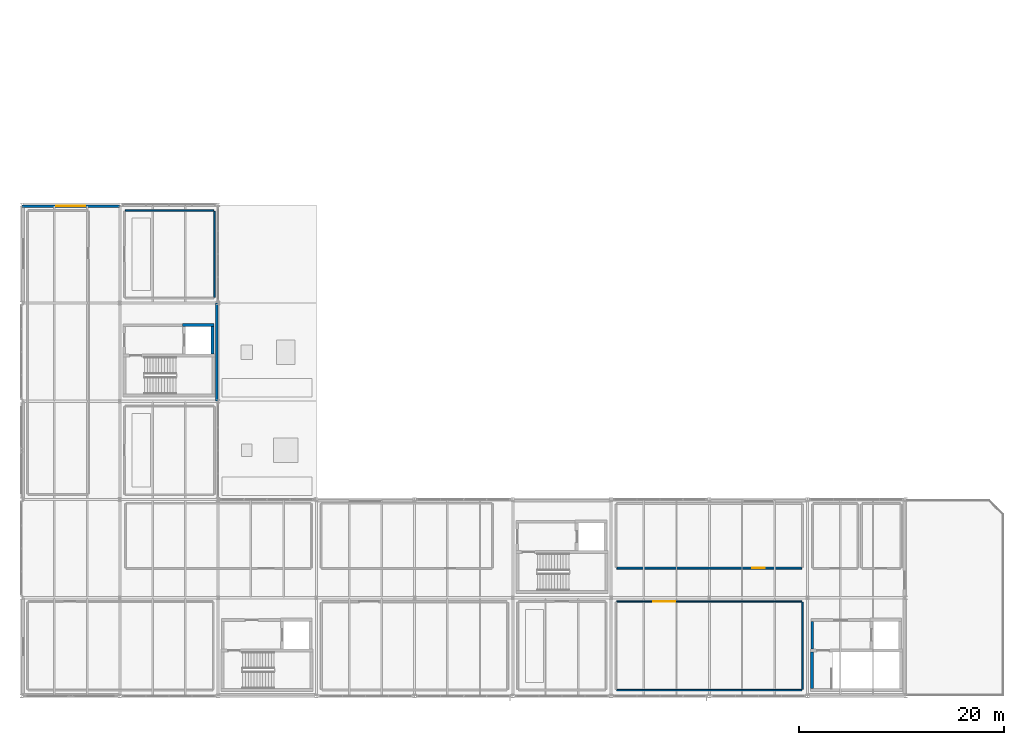
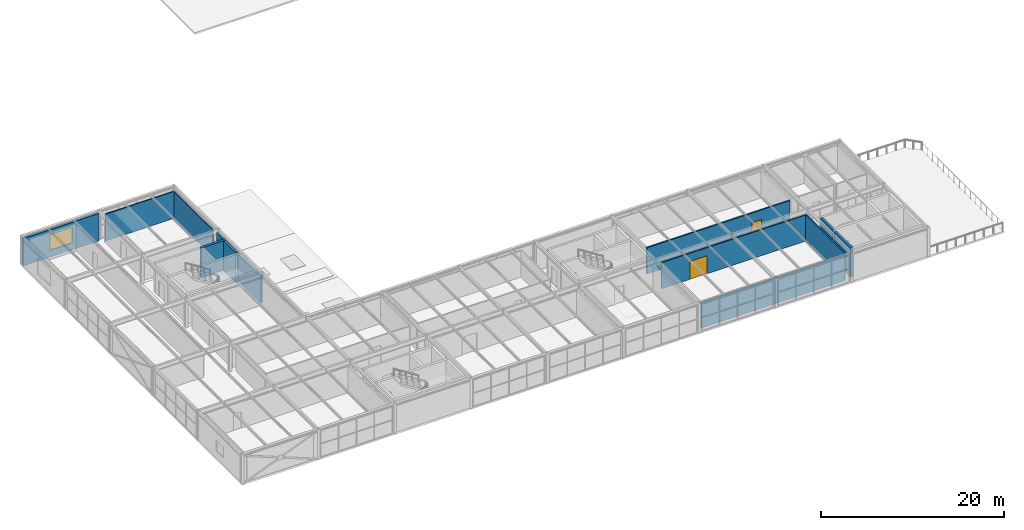
# One storey, part 44 of 50: 12 walls, 2 doors, 1 window, 3 openings.
"""IFC4 building model written with IfcOpenShell, lengths in metres."""

from ifc_helpers import new_model, si_unit, direction, frame, frame_2d, origin, place, context, subcontext, project, spatial, rectangle, extrude, material, layer, layer_set, type_object, element, fill, save


model = new_model("IFC4")

# Units and contexts
model_context = context("Model", 3, precision=1e-05, world=origin(), true_north=direction((0.0, 1.0)))
body_context = subcontext(model_context, "Body", "Model", "MODEL_VIEW")
ifc_project = project(units=[si_unit("LENGTHUNIT", "METRE"), si_unit("AREAUNIT", "SQUARE_METRE"), si_unit("VOLUMEUNIT", "CUBIC_METRE"), si_unit("PLANEANGLEUNIT", "RADIAN"), si_unit("MASSUNIT", "GRAM", prefix="KILO")], contexts=[model_context])

# Site, building, storey
site_placement = place(None, origin())
site = spatial("IfcSite", under=ifc_project, at=site_placement, CompositionType="ELEMENT")
building_placement = place(site_placement, origin())
building = spatial("IfcBuilding", under=site, at=building_placement, Name="Coralgate Yard Interchange", CompositionType="ELEMENT")
storey_placement = place(building_placement, frame((0.0, 0.0, 14.699951171875)))
storey = spatial("IfcBuildingStorey", under=building, at=storey_placement, Name="L03", CompositionType="ELEMENT", Elevation=14.699951171875)

# Walls
ifc_material_1 = material(Name="Concrete C40/50", Category="concrete")
ifc_layer_1 = layer(ifc_material_1, 0.300048828125)
ifc_layer_set_1 = layer_set([ifc_layer_1], Name="Concrete C40/50")
wall_type_1 = type_object("IfcWallType", Name="WAL-CW300", PredefinedType="SHEAR", material=ifc_layer_set_1)
wall_1_placement = place(storey_placement, frame((18.64990234375, 33.39990234375, 0.0), z_axis=(0.0, 0.0, 1.0), x_axis=(0.0, 1.0, 0.0)))
element("IfcWall", 1, at=wall_1_placement, inside=storey, type_object=wall_type_1, Name="C1 L03 lift rear shear wall", PredefinedType="SHEAR", context=body_context, shape_type="SweptSolid", body=[
    extrude(rectangle(XDim=2.7001953125, YDim=0.300048828125, at=frame_2d((1.35009765625, 0.0))), origin(), (0.0, 0.0, 1.0), 3.949951171875),
])
wall_2_placement = place(storey_placement, frame((15.699951171875, 36.25, 0.0), z_axis=(0.0, 0.0, 1.0), x_axis=(1.0, 0.0, 0.0)))
element("IfcWall", 2, at=wall_2_placement, inside=storey, type_object=wall_type_1, Name="C1 L03 lift north shear wall", PredefinedType="SHEAR", context=body_context, shape_type="SweptSolid", body=[
    extrude(rectangle(XDim=3.10009765625, YDim=0.300048828125, at=frame_2d((1.550048828125, 0.0))), origin(), (0.0, 0.0, 1.0), 3.949951171875),
])
wall_3_placement = place(storey_placement, frame((77.25, 0.719970703125, 0.0), z_axis=(0.0, 0.0, 1.0), x_axis=(0.0, 1.0, 0.0)))
element("IfcWall", 3, at=wall_3_placement, inside=storey, type_object=wall_type_1, Name="C4 L03 stair west shear wall", PredefinedType="SHEAR", context=body_context, shape_type="SweptSolid", body=[
    extrude(rectangle(XDim=3.580078125, YDim=0.300048828125, at=frame_2d((1.7900390625, 0.0))), origin(), (0.0, 0.0, 1.0), 3.949951171875),
])

# Wall, opening, window
ifc_material_2 = material(Name="Precast concrete C40/50", Category="concrete")
ifc_layer_2 = layer(ifc_material_2, 0.260009765625)
ifc_layer_set_2 = layer_set([ifc_layer_2], Name="Precast concrete C40/50")
wall_type_2 = type_object("IfcWallType", Name="WAL-EW-260", PredefinedType="SOLIDWALL", material=ifc_layer_set_2)
wall_4_placement = place(storey_placement, frame((0.02001953125, 47.8701171875, 0.0), z_axis=(0.0, 0.0, 1.0), x_axis=(1.0, 0.0, 0.0)))
wall_4 = element("IfcWall", 4, at=wall_4_placement, inside=storey, type_object=wall_type_2, Name="L03 exterior coastal wall N 0-4", PredefinedType="SOLIDWALL", context=body_context, shape_type="SweptSolid", body=[
    extrude(rectangle(XDim=9.56005859375, YDim=0.260009765625, at=frame_2d((4.780029296875, 0.0))), origin(), (0.0, 0.0, 1.0), 3.66015625),
])
opening_1_placement = place(wall_4_placement, frame((3.35498046875, 0.0, 0.89990234375)))
opening_1 = element("IfcOpeningElement", 5, at=opening_1_placement, cuts=wall_4, Name="Opening W-20", PredefinedType="OPENING", context=body_context, shape_type="SweptSolid", body=[
    extrude(rectangle(XDim=2.85009765625, YDim=2.10009765625, at=frame_2d((1.425048828125, 1.050048828125))), frame((0.0, 0.139892578125, 0.0), z_axis=(0.0, -1.0, 0.0), x_axis=(1.0, 0.0, 0.0)), (0.0, 0.0, 1.0), 0.280029296875),
])
ifc_material_3 = material(Name="Thermally broken anodised aluminium and solar-control low-E glass", Category="aluminium")
window_type = type_object("IfcWindowType", Name="WIN-W-20", PartitioningType="SINGLE_PANEL", PredefinedType="WINDOW", material=ifc_material_3)
window_placement = place(opening_1_placement, origin())
window = element("IfcWindow", 6, at=window_placement, inside=storey, type_object=window_type, Name="L03 coastal facade window N-0-4", OverallHeight=2.10009765625, OverallWidth=2.85009765625, PartitioningType="SINGLE_PANEL", PredefinedType="WINDOW", context=body_context, shape_type="SweptSolid", body=[
    extrude(rectangle(XDim=2.85009765625, YDim=2.10009765625, at=frame_2d((1.425048828125, 1.050048828125))), frame((0.0, 0.030029296875, 0.0), z_axis=(0.0, -1.0, 0.0), x_axis=(1.0, 0.0, 0.0)), (0.0, 0.0, 1.0), 0.06005859375),
])
fill(opening_1, window)

# Walls
wall_5_placement = place(storey_placement, frame((19.070068359375, 38.3798828125, 0.0), z_axis=(0.0, 0.0, 1.0), x_axis=(0.0, -1.0, 0.0)))
element("IfcWall", 7, at=wall_5_placement, inside=storey, type_object=wall_type_2, Name="L03 exterior coastal wall E 1-3", PredefinedType="SOLIDWALL", context=body_context, shape_type="SweptSolid", body=[
    extrude(rectangle(XDim=9.559814453125, YDim=0.260009765625, at=frame_2d((4.77978515625, 0.0))), origin(), (0.0, 0.0, 1.0), 3.4931640625),
])
ifc_material_4 = material(Name="Acoustic twin-stud office partition")
ifc_layer_3 = layer(ifc_material_4, 0.139892578125)
ifc_layer_set_3 = layer_set([ifc_layer_3], Name="Acoustic twin-stud office partition")
wall_type_3 = type_object("IfcWallType", Name="WAL-PW-140", PredefinedType="PARTITIONING", material=ifc_layer_set_3)
wall_6_placement = place(storey_placement, frame((76.260009765625, 0.570068359375, 0.0), z_axis=(0.0, 0.0, 1.0), x_axis=(-1.0, 0.0, 0.0)))
element("IfcWall", 8, at=wall_6_placement, inside=storey, type_object=wall_type_3, Name="Coastal Staff Canteen and Veranda Dining partition S", PredefinedType="PARTITIONING", context=body_context, shape_type="SweptSolid", body=[
    extrude(rectangle(XDim=18.1201171875, YDim=0.139892578125, at=frame_2d((9.06005859375, 0.0))), origin(), (0.0, 0.0, 1.0), 3.483154296875),
])

# Wall, opening, door
wall_7_placement = place(storey_placement, frame((58.139892578125, 9.22998046875, 0.0), z_axis=(0.0, 0.0, 1.0), x_axis=(1.0, 0.0, 0.0)))
wall_7 = element("IfcWall", 9, at=wall_7_placement, inside=storey, type_object=wall_type_3, Name="Coastal Staff Canteen and Veranda Dining partition N", PredefinedType="PARTITIONING", context=body_context, shape_type="SweptSolid", body=[
    extrude(rectangle(XDim=18.1201171875, YDim=0.139892578125, at=frame_2d((9.06005859375, 0.0))), origin(), (0.0, 0.0, 1.0), 3.483154296875),
])
opening_2_placement = place(wall_7_placement, frame((3.60009765625, 0.0, 0.0)))
opening_2 = element("IfcOpeningElement", 10, at=opening_2_placement, cuts=wall_7, Name="Opening ID-22", PredefinedType="OPENING", context=body_context, shape_type="SweptSolid", body=[
    extrude(rectangle(XDim=2.14990234375, YDim=2.39990234375, at=frame_2d((1.074951171875, 1.199951171875))), frame((0.0, 0.079833984375, 0.0), z_axis=(0.0, -1.0, 0.0), x_axis=(1.0, 0.0, 0.0)), (0.0, 0.0, 1.0), 0.159912109375),
])
ifc_material_5 = material(Name="Wide dining hall glazed double door")
door_type_1 = type_object("IfcDoorType", Name="DOR-ID-22", OperationType="NOTDEFINED", PredefinedType="DOOR", material=ifc_material_5)
door_1_placement = place(opening_2_placement, origin())
door_1 = element("IfcDoor", 11, at=door_1_placement, inside=storey, type_object=door_type_1, Name="Coastal Staff Canteen and Veranda Dining door", OperationType="DOUBLE_DOOR_SINGLE_SWING", OverallHeight=2.39990234375, OverallWidth=2.14990234375, PredefinedType="DOOR", context=body_context, shape_type="SweptSolid", body=[
    extrude(rectangle(XDim=2.14990234375, YDim=2.39990234375, at=frame_2d((1.074951171875, 1.199951171875))), frame((0.0, 0.02490234375, 0.0), z_axis=(0.0, -1.0, 0.0), x_axis=(1.0, 0.0, 0.0)), (0.0, 0.0, 1.0), 0.050048828125),
])
fill(opening_2, door_1)

# Walls
wall_8_placement = place(storey_placement, frame((76.330078125, 9.159912109375, 0.0), z_axis=(0.0, 0.0, 1.0), x_axis=(0.0, -1.0, 0.0)))
element("IfcWall", 12, at=wall_8_placement, inside=storey, type_object=wall_type_3, Name="Coastal Staff Canteen and Veranda Dining partition E", PredefinedType="PARTITIONING", context=body_context, shape_type="SweptSolid", body=[
    extrude(rectangle(XDim=8.52001953125, YDim=0.139892578125, at=frame_2d((4.260009765625, 0.0))), origin(), (0.0, 0.0, 1.0), 3.590087890625),
])
wall_9_placement = place(storey_placement, frame((10.139892578125, 47.429931640625, 0.0), z_axis=(0.0, 0.0, 1.0), x_axis=(1.0, 0.0, 0.0)))
element("IfcWall", 13, at=wall_9_placement, inside=storey, type_object=wall_type_3, Name="Occupational Health and First-Aid Suite partition N", PredefinedType="PARTITIONING", context=body_context, shape_type="SweptSolid", body=[
    extrude(rectangle(XDim=8.6201171875, YDim=0.139892578125, at=frame_2d((4.31005859375, 0.0))), origin(), (0.0, 0.0, 1.0), 3.590087890625),
])
wall_10_placement = place(storey_placement, frame((18.830078125, 47.360107421875, 0.0), z_axis=(0.0, 0.0, 1.0), x_axis=(0.0, -1.0, 0.0)))
element("IfcWall", 14, at=wall_10_placement, inside=storey, type_object=wall_type_3, Name="Occupational Health and First-Aid Suite partition E", PredefinedType="PARTITIONING", context=body_context, shape_type="SweptSolid", body=[
    extrude(rectangle(XDim=8.420166015625, YDim=0.139892578125, at=frame_2d((4.2099609375, 0.0))), origin(), (0.0, 0.0, 1.0), 3.590087890625),
])

# Wall, opening, door
ifc_material_6 = material(Name="Acoustic concrete blockwork", Category="masonry")
ifc_layer_4 = layer(ifc_material_6, 0.179931640625)
ifc_layer_set_4 = layer_set([ifc_layer_4], Name="Acoustic concrete blockwork")
wall_type_4 = type_object("IfcWallType", Name="WAL-PW-180", PredefinedType="PARTITIONING", material=ifc_layer_set_4)
wall_11_placement = place(storey_placement, frame((76.219970703125, 12.489990234375, 0.0), z_axis=(0.0, 0.0, 1.0), x_axis=(-1.0, 0.0, 0.0)))
wall_11 = element("IfcWall", 15, at=wall_11_placement, inside=storey, type_object=wall_type_4, Name="Canteen Preparation Kitchen and Cold Store partition S", PredefinedType="PARTITIONING", context=body_context, shape_type="SweptSolid", body=[
    extrude(rectangle(XDim=18.0400390625, YDim=0.179931640625, at=frame_2d((9.02001953125, 0.0))), origin(), (0.0, 0.0, 1.0), 3.483154296875),
])
opening_3_placement = place(wall_11_placement, frame((3.60009765625, 0.0, 0.0)))
opening_3 = element("IfcOpeningElement", 16, at=opening_3_placement, cuts=wall_11, Name="Opening ID-05", PredefinedType="OPENING", context=body_context, shape_type="SweptSolid", body=[
    extrude(rectangle(XDim=1.199951171875, YDim=2.199951171875, at=frame_2d((0.60009765625, 1.10009765625))), frame((0.0, 0.099853515625, 0.0), z_axis=(0.0, -1.0, 0.0), x_axis=(1.0, 0.0, 0.0)), (0.0, 0.0, 1.0), 0.199951171875),
])
ifc_material_7 = material(Name="Powder-coated steel plant and store fire door", Category="steel")
door_type_2 = type_object("IfcDoorType", Name="DOR-ID-05", OperationType="NOTDEFINED", PredefinedType="DOOR", material=ifc_material_7)
door_2_placement = place(opening_3_placement, frame((1.199951171875, 0.0, 0.0), z_axis=(0.0, 0.0, 1.0), x_axis=(-1.0, 0.0, 0.0)))
door_2 = element("IfcDoor", 17, at=door_2_placement, inside=storey, type_object=door_type_2, Name="Canteen Preparation Kitchen and Cold Store door", OperationType="SINGLE_SWING_LEFT", OverallHeight=2.199951171875, OverallWidth=1.199951171875, PredefinedType="DOOR", context=body_context, shape_type="SweptSolid", body=[
    extrude(rectangle(XDim=1.199951171875, YDim=2.199951171875, at=frame_2d((0.60009765625, 1.10009765625))), frame((0.0, 0.02490234375, 0.0), z_axis=(0.0, -1.0, 0.0), x_axis=(1.0, 0.0, 0.0)), (0.0, 0.0, 1.0), 0.050048828125),
])
fill(opening_3, door_2)

# Wall
ifc_layer_5 = layer(ifc_material_1, 0.25)
ifc_layer_set_5 = layer_set([ifc_layer_5], Name="Concrete C40/50")
wall_type_5 = type_object("IfcWallType", Name="WAL-SW250", PredefinedType="SHEAR", material=ifc_layer_set_5)
wall_12_placement = place(storey_placement, frame((77.25, 4.60009765625, 0.0), z_axis=(0.0, 0.0, 1.0), x_axis=(0.0, 1.0, 0.0)))
element("IfcWall", 18, at=wall_12_placement, inside=storey, type_object=wall_type_5, Name="C4 L03 lobby west fire wall", PredefinedType="SHEAR", context=body_context, shape_type="SweptSolid", body=[
    extrude(rectangle(XDim=2.699951171875, YDim=0.25, at=frame_2d((1.35009765625, 0.0))), origin(), (0.0, 0.0, 1.0), 3.949951171875),
])

save(model, "model.ifc")
